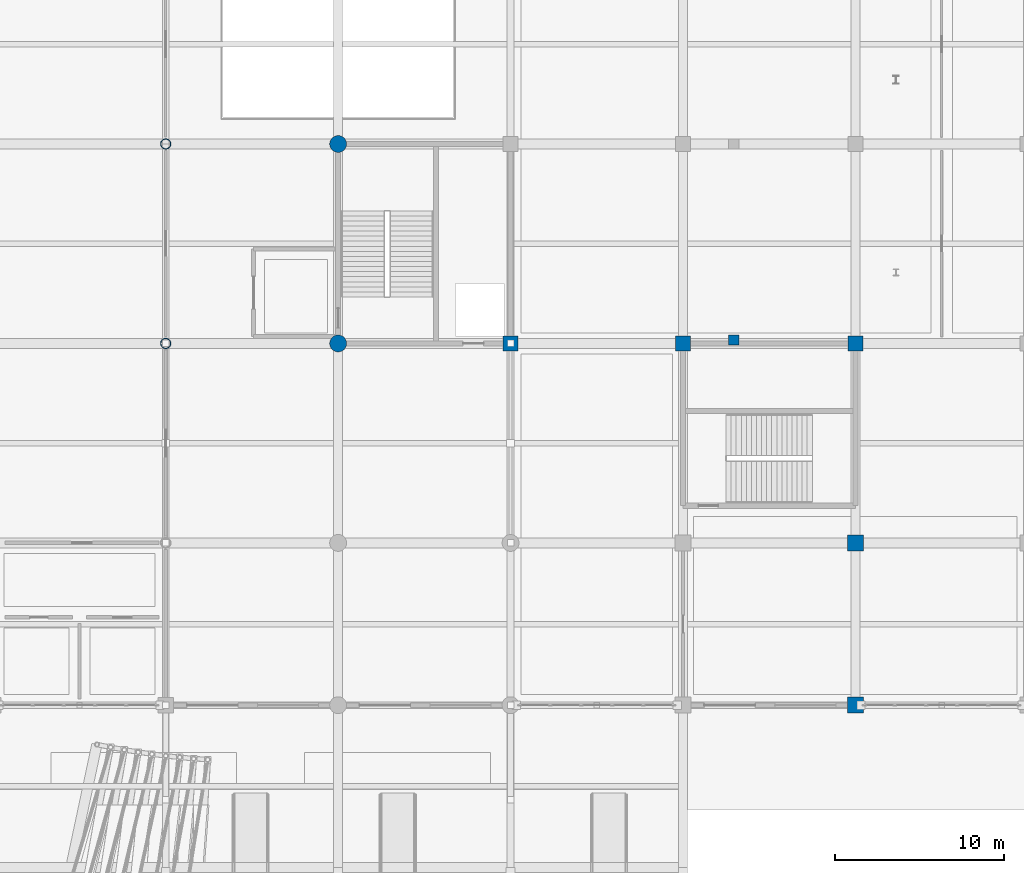
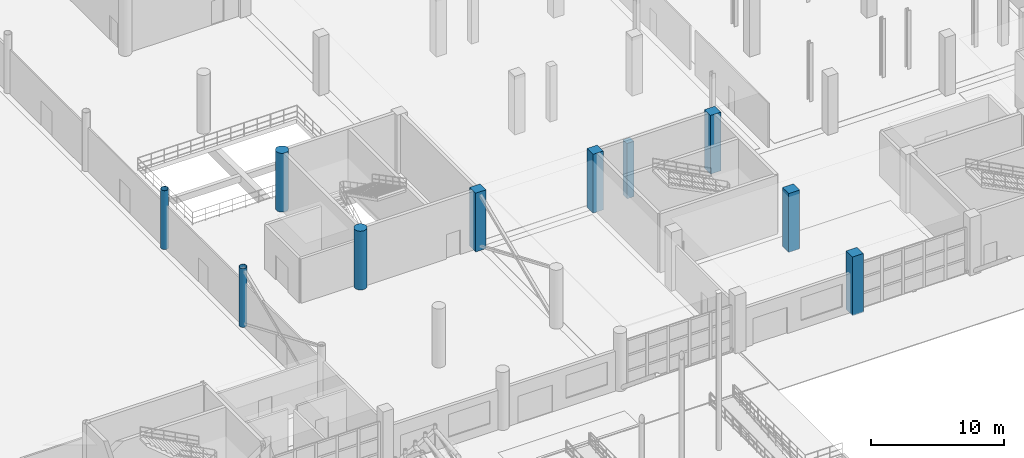
# One storey, part 11 of 124: 10 columns.
"""IFC4 building model written with IfcOpenShell, lengths in metres."""

from ifc_helpers import new_model, si_unit, direction, frame, origin, origin_2d, place, context, subcontext, project, spatial, rectangle, circle, hollow_circle, extrude, material, material_profile, profile_set, type_object, element, save


model = new_model("IFC4")

# Units and contexts
model_context = context("Model", 3, precision=1e-05, world=origin(), true_north=direction((0.0, 1.0)))
body_context = subcontext(model_context, "Body", "Model", "MODEL_VIEW")
ifc_project = project(units=[si_unit("LENGTHUNIT", "METRE"), si_unit("AREAUNIT", "SQUARE_METRE"), si_unit("VOLUMEUNIT", "CUBIC_METRE"), si_unit("PLANEANGLEUNIT", "RADIAN"), si_unit("MASSUNIT", "GRAM", prefix="KILO")], contexts=[model_context])

# Site, building, storey
site_placement = place(None, origin())
site = spatial("IfcSite", under=ifc_project, at=site_placement, CompositionType="ELEMENT")
building_placement = place(site_placement, origin())
building = spatial("IfcBuilding", under=site, at=building_placement, Name="Brelvane Convention Centre", CompositionType="ELEMENT")
storey_placement = place(building_placement, origin())
storey = spatial("IfcBuildingStorey", under=building, at=storey_placement, Name="L00", CompositionType="ELEMENT", Elevation=0.0)

# Columns
ifc_material_1 = material(Name="Concrete M50", Category="concrete")
ifc_material_profile_1 = material_profile(ifc_material_1, rectangle(XDim=0.89990234375, YDim=0.89990234375, at=origin_2d()), Name="RC 900x900")
ifc_profile_set_1 = profile_set([ifc_material_profile_1], Name="Concrete M50")
column_type_1 = type_object("IfcColumnType", Name="RC Column C-RC2 (RC 900x900)", PredefinedType="COLUMN", material=ifc_profile_set_1)
for number, where, z_axis, x_axis, name in (
    (1, (163.199951171875, 40.60009765625, 0.0), (0.0, 0.0, 1.0), (1.0, 0.0, 0.0), "Column 17-E (L00)"),
    (2, (173.39990234375, 40.60009765625, 0.0), (0.0, 0.0, 1.0), (1.0, 0.0, 0.0), "Column 18-E (L00)"),
    (3, (183.60009765625, 40.60009765625, 0.0), (0.0, 0.0, 1.0), (1.0, 0.0, 0.0), "Column 19-E (L00)"),
):
    element("IfcColumn", number, at=place(storey_placement, frame(where, z_axis=z_axis, x_axis=x_axis)), inside=storey, type_object=column_type_1, Name=name, PredefinedType="COLUMN", context=body_context, shape_type="SweptSolid", body=[
        extrude(rectangle(XDim=0.89990234375, YDim=0.89990234375, at=origin_2d()), origin(), (0.0, 0.0, 1.0), 5.39990234375),
    ])
ifc_material_2 = material(Name="Concrete M50", Category="concrete")
ifc_material_profile_2 = material_profile(ifc_material_2, rectangle(XDim=0.60009765625, YDim=0.60009765625, at=origin_2d()), Name="RC 600x600")
ifc_profile_set_2 = profile_set([ifc_material_profile_2], Name="Concrete M50")
column_type_2 = type_object("IfcColumnType", Name="RC Column C-RC4 (RC 600x600)", PredefinedType="COLUMN", material=ifc_profile_set_2)
column_placement = place(storey_placement, frame((176.39990234375, 40.800048828125, 0.0), z_axis=(0.0, 0.0, 1.0), x_axis=(1.0, 0.0, 0.0)))
element("IfcColumn", 4, at=column_placement, inside=storey, type_object=column_type_2, Name="Plenary Gallery L00 Column 5", PredefinedType="COLUMN", context=body_context, shape_type="SweptSolid", body=[
    extrude(rectangle(XDim=0.60009765625, YDim=0.60009765625, at=origin_2d()), origin(), (0.0, 0.0, 1.0), 5.080078125),
])
ifc_material_3 = material(Name="Concrete M50", Category="concrete")
ifc_material_profile_3 = material_profile(ifc_material_3, circle(Radius=0.5, at=origin_2d()), Name="RC-CIRC D1000")
ifc_profile_set_3 = profile_set([ifc_material_profile_3], Name="Concrete M50")
column_type_3 = type_object("IfcColumnType", Name="RC Column C-RC6 (RC-CIRC D1000)", PredefinedType="COLUMN", material=ifc_profile_set_3)
for number, where, z_axis, x_axis, name in (
    (5, (153.0, 40.60009765625, 0.0), (0.0, 0.0, 1.0), (1.0, 0.0, 0.0), "Column 16-E (L00)"),
    (6, (153.0, 52.39990234375, 0.0), (0.0, 0.0, 1.0), (1.0, 0.0, 0.0), "Column 16-F (L00)"),
):
    element("IfcColumn", number, at=place(storey_placement, frame(where, z_axis=z_axis, x_axis=x_axis)), inside=storey, type_object=column_type_3, Name=name, PredefinedType="COLUMN", context=body_context, shape_type="SweptSolid", body=[
        extrude(circle(Radius=0.5, at=origin_2d()), origin(), (0.0, 0.0, 1.0), 5.39990234375),
    ])
ifc_material_4 = material(Name="Concrete M50", Category="concrete")
ifc_material_profile_4 = material_profile(ifc_material_4, rectangle(XDim=0.949951171875, YDim=0.949951171875, at=origin_2d()), Name="RC 950x950")
ifc_profile_set_4 = profile_set([ifc_material_profile_4], Name="Concrete M50")
column_type_4 = type_object("IfcColumnType", Name="RC Column C-RC8 (RC 950x950)", PredefinedType="COLUMN", material=ifc_profile_set_4)
for number, where, z_axis, x_axis, name in (
    (7, (183.60009765625, 19.199951171875, 0.0), (0.0, 0.0, 1.0), (1.0, 0.0, 0.0), "Column 19-C (L00)"),
    (8, (183.60009765625, 28.800048828125, 0.0), (0.0, 0.0, 1.0), (1.0, 0.0, 0.0), "Column 19-D (L00)"),
):
    element("IfcColumn", number, at=place(storey_placement, frame(where, z_axis=z_axis, x_axis=x_axis)), inside=storey, type_object=column_type_4, Name=name, PredefinedType="COLUMN", context=body_context, shape_type="SweptSolid", body=[
        extrude(rectangle(XDim=0.949951171875, YDim=0.949951171875, at=origin_2d()), origin(), (0.0, 0.0, 1.0), 5.39990234375),
    ])
ifc_material_5 = material(Name="Steel E450 (450 MPa)", Category="steel")
ifc_material_profile_5 = material_profile(ifc_material_5, hollow_circle(Radius=0.304931640625, WallThickness=0.02490234375, at=origin_2d()), Name="CHS 610.0x25.0")
ifc_profile_set_5 = profile_set([ifc_material_profile_5], Name="Steel E450 (450 MPa)")
column_type_5 = type_object("IfcColumnType", Name="Steel Column C-ST1 (CHS 610.0x25.0)", PredefinedType="COLUMN", material=ifc_profile_set_5)
for number, where, z_axis, x_axis, name in (
    (9, (142.800048828125, 40.60009765625, 0.0), (0.0, 0.0, 1.0), (1.0, 0.0, 0.0), "Column 15-E (L00)"),
    (10, (142.800048828125, 52.39990234375, 0.0), (0.0, 0.0, 1.0), (1.0, 0.0, 0.0), "Column 15-F (L00)"),
):
    element("IfcColumn", number, at=place(storey_placement, frame(where, z_axis=z_axis, x_axis=x_axis)), inside=storey, type_object=column_type_5, Name=name, PredefinedType="COLUMN", context=body_context, shape_type="SweptSolid", body=[
        extrude(hollow_circle(Radius=0.304931640625, WallThickness=0.02490234375, at=origin_2d()), origin(), (0.0, 0.0, 1.0), 5.39990234375),
    ])

save(model, "model.ifc")
